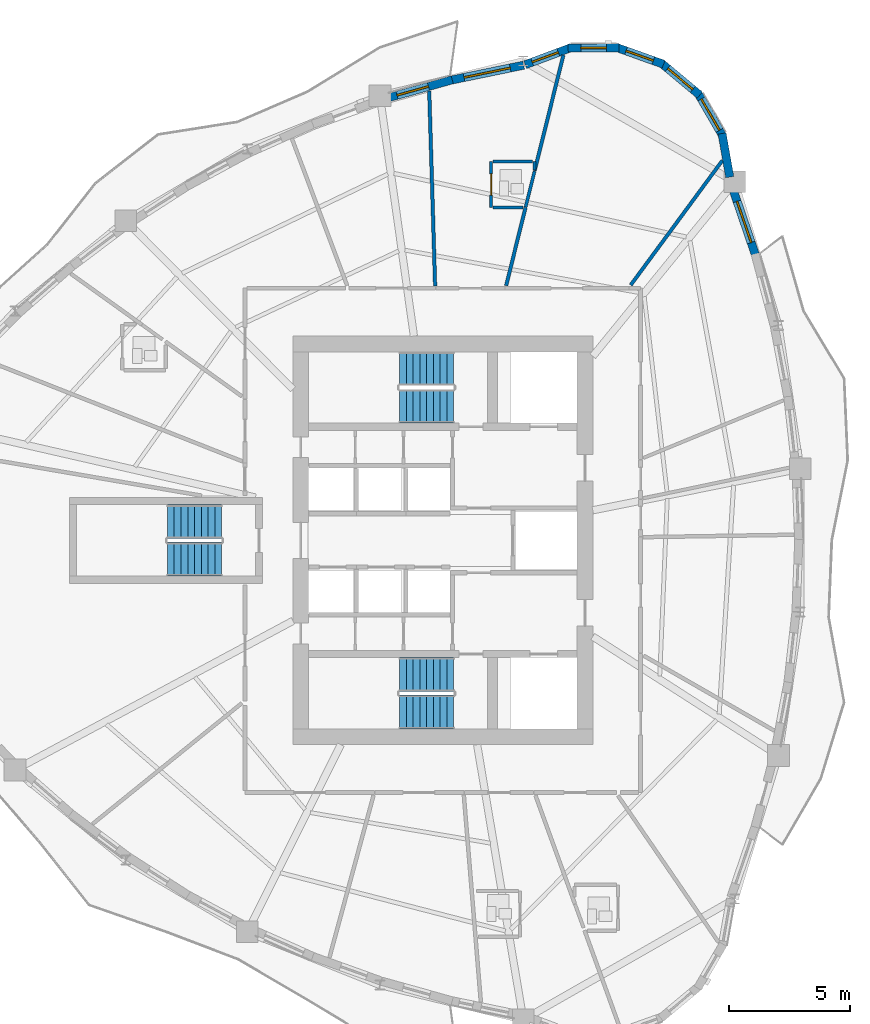
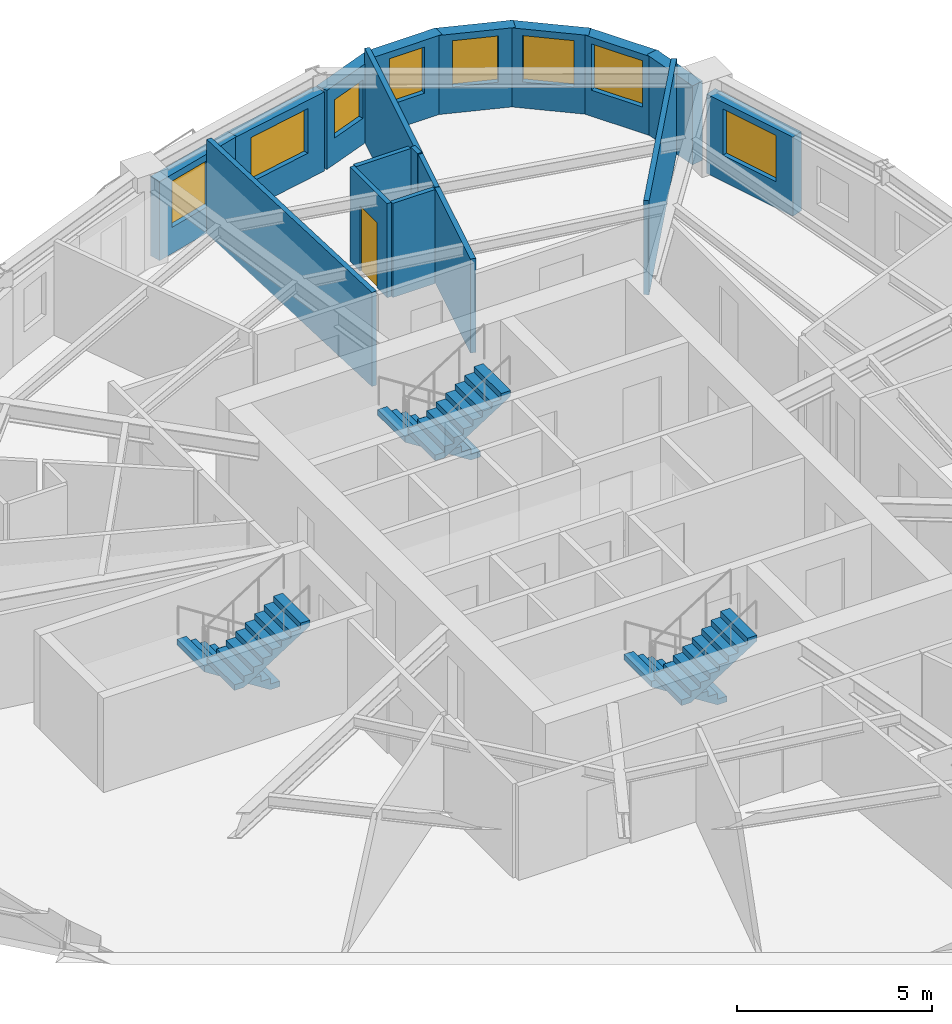
# One storey, part 8 of 12: 18 walls, 8 windows, 6 stair flights, 1 door, 9 openings, 3 elements without a shape of their own.
"""IFC4 building model written with IfcOpenShell, lengths in metres."""

from ifc_helpers import new_model, si_unit, direction, frame, frame_2d, origin, place, context, subcontext, project, spatial, polyline, rectangle, outline, extrude, source, transform, mapped, material, layer, layer_set, type_object, element, fill, aggregate, save


model = new_model("IFC4")

# Units and contexts
model_context = context("Model", 3, precision=1e-05, world=origin(), true_north=direction((0.0, 1.0)))
body_context = subcontext(model_context, "Body", "Model", "MODEL_VIEW")
ifc_project = project(units=[si_unit("LENGTHUNIT", "METRE"), si_unit("AREAUNIT", "SQUARE_METRE"), si_unit("VOLUMEUNIT", "CUBIC_METRE"), si_unit("PLANEANGLEUNIT", "RADIAN"), si_unit("MASSUNIT", "GRAM", prefix="KILO")], contexts=[model_context])

# Site, building, storey
site_placement = place(None, origin())
site = spatial("IfcSite", under=ifc_project, at=site_placement, CompositionType="ELEMENT")
building_placement = place(site_placement, origin())
building = spatial("IfcBuilding", under=site, at=building_placement, Name="Qafzar Sky-Pleat Residences", CompositionType="ELEMENT")
storey_placement = place(building_placement, frame((0.0, 0.0, 121.60009765625)))
storey = spatial("IfcBuildingStorey", under=building, at=storey_placement, Name="L36", CompositionType="ELEMENT", Elevation=121.60009765625)

# Walls
ifc_material_1 = material(Name="Acoustic gypsum plasterboard partition", Category="gypsum")
ifc_layer_1 = layer(ifc_material_1, 0.14501953125)
ifc_layer_set_1 = layer_set([ifc_layer_1], Name="Acoustic gypsum plasterboard partition")
wall_type_1 = type_object("IfcWallType", Name="PART-UNIT-145", PredefinedType="PARTITIONING", material=ifc_layer_set_1)
wall_1_placement = place(storey_placement, frame((29.7861328125, 44.578857421875, 0.0), z_axis=(0.0, 0.0, 1.0), x_axis=(0.030281792334, -0.99954140137, 0.0)))
element("IfcWall", 1, at=wall_1_placement, inside=storey, type_object=wall_type_1, Name="L36 Partition Wall PART-L36-PW-024", PredefinedType="PARTITIONING", context=body_context, shape_type="SweptSolid", body=[
    extrude(rectangle(XDim=8.062255859375, YDim=0.14501953125, at=frame_2d((4.03125, 0.0))), origin(), (0.0, 0.0, 1.0), 2.949951171875),
])
wall_2_placement = place(storey_placement, frame((38.119140625, 36.559326171875, 0.0), z_axis=(0.0, 0.0, 1.0), x_axis=(0.592704345809, 0.805420113021, 0.0)))
element("IfcWall", 2, at=wall_2_placement, inside=storey, type_object=wall_type_1, Name="L36 Partition Wall PART-L36-PW-029", PredefinedType="PARTITIONING", context=body_context, shape_type="SweptSolid", body=[
    extrude(rectangle(XDim=6.398681640625, YDim=0.14501953125, at=frame_2d((3.19921875, 0.0))), origin(), (0.0, 0.0, 1.0), 2.949951171875),
])
wall_3_placement = place(storey_placement, frame((34.14697265625, 41.285888671875, 0.0), z_axis=(0.0, 0.0, 1.0), x_axis=(0.241055314039, 0.970511378384, 0.0)))
element("IfcWall", 3, at=wall_3_placement, inside=storey, type_object=wall_type_1, Name="L36 Partition Wall PART-L36-PW-034", PredefinedType="PARTITIONING", context=body_context, shape_type="SweptSolid", body=[
    extrude(rectangle(XDim=4.92919921875, YDim=0.14501953125, at=frame_2d((2.464599609375, 0.0))), origin(), (0.0, 0.0, 1.0), 2.949951171875),
])
wall_4_placement = place(storey_placement, frame((32.967041015625, 36.53515625, 0.0), z_axis=(0.0, 0.0, 1.0), x_axis=(0.241120890255, 0.970495088232, 0.0)))
element("IfcWall", 4, at=wall_4_placement, inside=storey, type_object=wall_type_1, Name="L36 Partition Wall PART-L36-PW-041", PredefinedType="PARTITIONING", context=body_context, shape_type="SweptSolid", body=[
    extrude(rectangle(XDim=3.330078125, YDim=0.14501953125, at=frame_2d((1.6650390625, 0.0))), origin(), (0.0, 0.0, 1.0), 2.949951171875),
])

# Wall, opening, door
ifc_material_2 = material(Name="Moisture-resistant gypsum partition", Category="gypsum")
ifc_layer_2 = layer(ifc_material_2, 0.1298828125)
ifc_layer_set_2 = layer_set([ifc_layer_2], Name="Moisture-resistant gypsum partition")
wall_type_2 = type_object("IfcWallType", Name="PART-WET-130", PredefinedType="PARTITIONING", material=ifc_layer_set_2)
wall_5_placement = place(storey_placement, frame((32.346923828125, 41.6669921875, 0.0), z_axis=(0.0, 0.0, 1.0), x_axis=(0.0, -1.0, 0.0)))
wall_5 = element("IfcWall", 5, at=wall_5_placement, inside=storey, type_object=wall_type_2, Name="L36 Partition Wall PART-L36-PW-015", PredefinedType="PARTITIONING", context=body_context, shape_type="SweptSolid", body=[
    extrude(rectangle(XDim=1.89990234375, YDim=0.1298828125, at=frame_2d((0.949951171875, 0.0))), origin(), (0.0, 0.0, 1.0), 2.949951171875),
])
opening_1_placement = place(wall_5_placement, frame((0.510009765625, 0.0, 0.0)))
opening_1 = element("IfcOpeningElement", 6, at=opening_1_placement, cuts=wall_5, Name="Opening ID-07", PredefinedType="OPENING", context=body_context, shape_type="SweptSolid", body=[
    extrude(rectangle(XDim=0.8798828125, YDim=2.050048828125, at=frame_2d((0.43994140625, 1.02490234375))), frame((0.0, 0.074951171875, 0.0), z_axis=(0.0, -1.0, 0.0), x_axis=(1.0, 0.0, 0.0)), (0.0, 0.0, 1.0), 0.14990234375),
])
ifc_material_3 = material(Name="Timber-faced fire door", Category="wood")
door_type = type_object("IfcDoorType", Name="DR-WET-880", OperationType="NOTDEFINED", PredefinedType="DOOR", material=ifc_material_3)
shared_shape_1 = source(origin(), body_context, "Body", "SweptSolid", [
    extrude(rectangle(XDim=0.8798828125, YDim=2.050048828125, at=frame_2d((0.43994140625, 1.02490234375))), frame((0.0, 0.02490234375, 0.0), z_axis=(0.0, -1.0, 0.0), x_axis=(1.0, 0.0, 0.0)), (0.0, 0.0, 1.0), 0.050048828125),
])
door_placement = place(opening_1_placement, origin())
door = element("IfcDoor", 7, at=door_placement, inside=storey, type_object=door_type, Name="L36 En-suite Bathroom 1 Door", OperationType="SINGLE_SWING_LEFT", OverallHeight=2.050048828125, OverallWidth=0.8798828125, PredefinedType="DOOR", context=body_context, shape_type="MappedRepresentation", body=[
    mapped(shared_shape_1, transform((0.0, 0.0, 0.0), x_axis=(1.0, 0.0, 0.0), y_axis=(0.0, 1.0, 0.0), z_axis=(0.0, 0.0, 1.0), scale=1.0)),
])
fill(opening_1, door)

# Walls
wall_6_placement = place(storey_placement, frame((32.419921875, 41.6669921875, 0.0), z_axis=(0.0, 0.0, 1.0), x_axis=(1.0, 0.0, 0.0)))
element("IfcWall", 8, at=wall_6_placement, inside=storey, type_object=wall_type_2, Name="L36 Partition Wall PART-L36-PW-045", PredefinedType="PARTITIONING", context=body_context, shape_type="SweptSolid", body=[
    extrude(rectangle(XDim=1.628173828125, YDim=0.1298828125, at=frame_2d((0.81396484375, 0.0))), origin(), (0.0, 0.0, 1.0), 2.949951171875),
])
wall_7_placement = place(storey_placement, frame((33.773681640625, 39.781494140625, 0.0), z_axis=(0.0, 0.0, 1.0), x_axis=(0.240776504653, 0.970580586457, 0.0)))
element("IfcWall", 9, at=wall_7_placement, inside=storey, type_object=wall_type_2, Name="L36 Partition Wall PART-L36-PW-047", PredefinedType="PARTITIONING", context=body_context, shape_type="SweptSolid", body=[
    extrude(rectangle(XDim=1.53515625, YDim=0.1298828125, at=frame_2d((0.767578125, 0.0))), origin(), (0.0, 0.0, 1.0), 2.949951171875),
])
wall_8_placement = place(storey_placement, frame((32.419921875, 39.76708984375, 0.0), z_axis=(0.0, 0.0, 1.0), x_axis=(1.0, 0.0, 0.0)))
element("IfcWall", 10, at=wall_8_placement, inside=storey, type_object=wall_type_2, Name="L36 Partition Wall PART-L36-PW-048", PredefinedType="PARTITIONING", context=body_context, shape_type="SweptSolid", body=[
    extrude(rectangle(XDim=1.251220703125, YDim=0.1298828125, at=frame_2d((0.62548828125, 0.0))), origin(), (0.0, 0.0, 1.0), 2.949951171875),
])
wall_9_placement = place(storey_placement, frame((34.14697265625, 41.31689453125, 0.0), z_axis=(0.0, 0.0, 1.0), x_axis=(0.0, 1.0, 0.0)))
element("IfcWall", 11, at=wall_9_placement, inside=storey, type_object=wall_type_2, Name="L36 Partition Wall PART-L36-PW-057", PredefinedType="PARTITIONING", context=body_context, shape_type="SweptSolid", body=[
    extrude(rectangle(XDim=0.35009765625, YDim=0.1298828125, at=frame_2d((0.175048828125, 0.0))), origin(), (0.0, 0.0, 1.0), 2.949951171875),
])

# Wall, opening, window
ifc_material_4 = material(Name="Precast concrete C40/50 with honed Riyadh limestone", Category="concrete")
ifc_layer_3 = layer(ifc_material_4, 0.340087890625)
ifc_layer_set_3 = layer_set([ifc_layer_3], Name="Precast concrete C40/50 with honed Riyadh limestone")
wall_type_3 = type_object("IfcWallType", Name="WALL-EXT-340", PredefinedType="SOLIDWALL", material=ifc_layer_set_3)
wall_10_placement = place(storey_placement, frame((43.2880859375, 37.77099609375, 0.0), z_axis=(0.0, 0.0, 1.0), x_axis=(-0.323537149191, 0.94621546864, 0.0)))
wall_10 = element("IfcWall", 12, at=wall_10_placement, inside=storey, type_object=wall_type_3, Name="L36 Limestone Facade Wall 32", PredefinedType="SOLIDWALL", context=body_context, shape_type="SweptSolid", body=[
    extrude(rectangle(XDim=2.942138671875, YDim=0.340087890625, at=frame_2d((1.47119140625, 0.0))), origin(), (0.0, 0.0, 1.0), 2.47998046875),
])
opening_2_placement = place(wall_10_placement, frame((0.576171875, 0.0, 0.820068359375)))
opening_2 = element("IfcOpeningElement", 13, at=opening_2_placement, cuts=wall_10, Name="Opening WN-01", PredefinedType="OPENING", context=body_context, shape_type="SweptSolid", body=[
    extrude(rectangle(XDim=1.800048828125, YDim=1.449951171875, at=frame_2d((0.89990234375, 0.72509765625))), frame((0.0, 0.18017578125, 0.0), z_axis=(0.0, -1.0, 0.0), x_axis=(1.0, 0.0, 0.0)), (0.0, 0.0, 1.0), 0.360107421875),
])
ifc_material_5 = material(Name="Solar-control low-E glass in bronze aluminium frame", Category="glass")
window_type_1 = type_object("IfcWindowType", Name="WIN-01", PartitioningType="DOUBLE_PANEL_VERTICAL", PredefinedType="WINDOW", material=ifc_material_5)
shared_shape_2 = source(origin(), body_context, "Body", "SweptSolid", [
    extrude(rectangle(XDim=1.800048828125, YDim=1.449951171875, at=frame_2d((0.89990234375, 0.72509765625))), frame((0.0, 0.030029296875, 0.0), z_axis=(0.0, -1.0, 0.0), x_axis=(1.0, 0.0, 0.0)), (0.0, 0.0, 1.0), 0.06005859375),
])
window_1_placement = place(opening_2_placement, origin())
window_1 = element("IfcWindow", 14, at=window_1_placement, inside=storey, type_object=window_type_1, Name="L36 Punched Facade Window 32", OverallHeight=1.449951171875, OverallWidth=1.800048828125, PartitioningType="SINGLE_PANEL", PredefinedType="WINDOW", context=body_context, shape_type="MappedRepresentation", body=[
    mapped(shared_shape_2, transform((0.0, 0.0, 0.0), x_axis=(1.0, 0.0, 0.0), y_axis=(0.0, 1.0, 0.0), z_axis=(0.0, 0.0, 1.0), scale=1.0)),
])
fill(opening_2, window_1)

# Wall
wall_11_placement = place(storey_placement, frame((42.215087890625, 41.0244140625, 0.0), z_axis=(0.0, 0.0, 1.0), x_axis=(-0.17440141227, 0.984674640375, 0.0)))
element("IfcWall", 15, at=wall_11_placement, inside=storey, type_object=wall_type_3, Name="L36 Limestone Facade Wall 33", PredefinedType="SOLIDWALL", context=body_context, shape_type="SweptSolid", body=[
    extrude(rectangle(XDim=1.8310546875, YDim=0.340087890625, at=frame_2d((0.91552734375, 0.0))), origin(), (0.0, 0.0, 1.0), 2.47998046875),
])

# Wall, opening, window
wall_12_placement = place(storey_placement, frame((41.941650390625, 42.701416015625, 0.0), z_axis=(0.0, 0.0, 1.0), x_axis=(-0.501902596059, 0.864924149315, 0.0)))
wall_12 = element("IfcWall", 16, at=wall_12_placement, inside=storey, type_object=wall_type_3, Name="L36 Limestone Facade Wall 34", PredefinedType="SOLIDWALL", context=body_context, shape_type="SweptSolid", body=[
    extrude(rectangle(XDim=2.098876953125, YDim=0.340087890625, at=frame_2d((1.04931640625, 0.0))), origin(), (0.0, 0.0, 1.0), 2.47998046875),
])
opening_3_placement = place(wall_12_placement, frame((0.299560546875, 0.0, 0.820068359375)))
opening_3 = element("IfcOpeningElement", 17, at=opening_3_placement, cuts=wall_12, Name="Opening WN-03", PredefinedType="OPENING", context=body_context, shape_type="SweptSolid", body=[
    extrude(rectangle(XDim=1.5, YDim=1.449951171875, at=frame_2d((0.75, 0.72509765625))), frame((0.0, 0.18017578125, 0.0), z_axis=(0.0, -1.0, 0.0), x_axis=(1.0, 0.0, 0.0)), (0.0, 0.0, 1.0), 0.360107421875),
])
window_type_2 = type_object("IfcWindowType", Name="WIN-03", PartitioningType="DOUBLE_PANEL_VERTICAL", PredefinedType="WINDOW", material=ifc_material_5)
shared_shape_3 = source(origin(), body_context, "Body", "SweptSolid", [
    extrude(rectangle(XDim=1.5, YDim=1.449951171875, at=frame_2d((0.75, 0.72509765625))), frame((0.0, 0.030029296875, 0.0), z_axis=(0.0, -1.0, 0.0), x_axis=(1.0, 0.0, 0.0)), (0.0, 0.0, 1.0), 0.06005859375),
])
window_2_placement = place(opening_3_placement, origin())
window_2 = element("IfcWindow", 18, at=window_2_placement, inside=storey, type_object=window_type_2, Name="L36 Punched Facade Window 34", OverallHeight=1.449951171875, OverallWidth=1.5, PartitioningType="SINGLE_PANEL", PredefinedType="WINDOW", context=body_context, shape_type="MappedRepresentation", body=[
    mapped(shared_shape_3, transform((0.0, 0.0, 0.0), x_axis=(1.0, 0.0, 0.0), y_axis=(0.0, 1.0, 0.0), z_axis=(0.0, 0.0, 1.0), scale=1.0)),
])
fill(opening_3, window_2)

wall_13_placement = place(storey_placement, frame((40.974609375, 44.414306640625, 0.0), z_axis=(0.0, 0.0, 1.0), x_axis=(-0.768440501876, 0.639921241308, 0.0)))
wall_13 = element("IfcWall", 19, at=wall_13_placement, inside=storey, type_object=wall_type_3, Name="L36 Limestone Facade Wall 35", PredefinedType="SOLIDWALL", context=body_context, shape_type="SweptSolid", body=[
    extrude(rectangle(XDim=2.09912109375, YDim=0.340087890625, at=frame_2d((1.049560546875, 0.0))), origin(), (0.0, 0.0, 1.0), 2.47998046875),
])
opening_4_placement = place(wall_13_placement, frame((0.37451171875, 0.0, 0.820068359375)))
opening_4 = element("IfcOpeningElement", 20, at=opening_4_placement, cuts=wall_13, Name="Opening WN-04", PredefinedType="OPENING", context=body_context, shape_type="SweptSolid", body=[
    extrude(rectangle(XDim=1.35009765625, YDim=1.449951171875, at=frame_2d((0.675048828125, 0.72509765625))), frame((0.0, 0.18017578125, 0.0), z_axis=(0.0, -1.0, 0.0), x_axis=(1.0, 0.0, 0.0)), (0.0, 0.0, 1.0), 0.360107421875),
])
window_type_3 = type_object("IfcWindowType", Name="WIN-04", PartitioningType="SINGLE_PANEL", PredefinedType="WINDOW", material=ifc_material_5)
shared_shape_4 = source(origin(), body_context, "Body", "SweptSolid", [
    extrude(rectangle(XDim=1.35009765625, YDim=1.449951171875, at=frame_2d((0.675048828125, 0.72509765625))), frame((0.0, 0.030029296875, 0.0), z_axis=(0.0, -1.0, 0.0), x_axis=(1.0, 0.0, 0.0)), (0.0, 0.0, 1.0), 0.06005859375),
])
window_3_placement = place(opening_4_placement, origin())
window_3 = element("IfcWindow", 21, at=window_3_placement, inside=storey, type_object=window_type_3, Name="L36 Punched Facade Window 35", OverallHeight=1.449951171875, OverallWidth=1.35009765625, PartitioningType="SINGLE_PANEL", PredefinedType="WINDOW", context=body_context, shape_type="MappedRepresentation", body=[
    mapped(shared_shape_4, transform((0.0, 0.0, 0.0), x_axis=(1.0, 0.0, 0.0), y_axis=(0.0, 1.0, 0.0), z_axis=(0.0, 0.0, 1.0), scale=1.0)),
])
fill(opening_4, window_3)

wall_14_placement = place(storey_placement, frame((39.47802734375, 45.69091796875, 0.0), z_axis=(0.0, 0.0, 1.0), x_axis=(-0.941523304278, 0.336947870598, 0.0)))
wall_14 = element("IfcWall", 22, at=wall_14_placement, inside=storey, type_object=wall_type_3, Name="L36 Limestone Facade Wall 36", PredefinedType="SOLIDWALL", context=body_context, shape_type="SweptSolid", body=[
    extrude(rectangle(XDim=2.09912109375, YDim=0.340087890625, at=frame_2d((1.049560546875, 0.0))), origin(), (0.0, 0.0, 1.0), 2.47998046875),
])
opening_5_placement = place(wall_14_placement, frame((0.449462890625, 0.0, 0.820068359375)))
opening_5 = element("IfcOpeningElement", 23, at=opening_5_placement, cuts=wall_14, Name="Opening WN-05", PredefinedType="OPENING", context=body_context, shape_type="SweptSolid", body=[
    extrude(rectangle(XDim=1.199951171875, YDim=1.449951171875, at=frame_2d((0.60009765625, 0.72509765625))), frame((0.0, 0.18017578125, 0.0), z_axis=(0.0, -1.0, 0.0), x_axis=(1.0, 0.0, 0.0)), (0.0, 0.0, 1.0), 0.360107421875),
])
window_type_4 = type_object("IfcWindowType", Name="WIN-05", PartitioningType="SINGLE_PANEL", PredefinedType="WINDOW", material=ifc_material_5)
shared_shape_5 = source(origin(), body_context, "Body", "SweptSolid", [
    extrude(rectangle(XDim=1.199951171875, YDim=1.449951171875, at=frame_2d((0.60009765625, 0.72509765625))), frame((0.0, 0.030029296875, 0.0), z_axis=(0.0, -1.0, 0.0), x_axis=(1.0, 0.0, 0.0)), (0.0, 0.0, 1.0), 0.06005859375),
])
window_4_placement = place(opening_5_placement, origin())
window_4 = element("IfcWindow", 24, at=window_4_placement, inside=storey, type_object=window_type_4, Name="L36 Punched Facade Window 36", OverallHeight=1.449951171875, OverallWidth=1.199951171875, PartitioningType="SINGLE_PANEL", PredefinedType="WINDOW", context=body_context, shape_type="MappedRepresentation", body=[
    mapped(shared_shape_5, transform((0.0, 0.0, 0.0), x_axis=(1.0, 0.0, 0.0), y_axis=(0.0, 1.0, 0.0), z_axis=(0.0, 0.0, 1.0), scale=1.0)),
])
fill(opening_5, window_4)

wall_15_placement = place(storey_placement, frame((37.634033203125, 46.375732421875, 0.0), z_axis=(0.0, 0.0, 1.0), x_axis=(-0.999976456891, -0.00686189939, 0.0)))
wall_15 = element("IfcWall", 25, at=wall_15_placement, inside=storey, type_object=wall_type_3, Name="L36 Limestone Facade Wall 37", PredefinedType="SOLIDWALL", context=body_context, shape_type="SweptSolid", body=[
    extrude(rectangle(XDim=2.09912109375, YDim=0.340087890625, at=frame_2d((1.049560546875, 0.0))), origin(), (0.0, 0.0, 1.0), 2.47998046875),
])
opening_6_placement = place(wall_15_placement, frame((0.5244140625, 0.0, 0.820068359375)))
opening_6 = element("IfcOpeningElement", 26, at=opening_6_placement, cuts=wall_15, Name="Opening WN-06", PredefinedType="OPENING", context=body_context, shape_type="SweptSolid", body=[
    extrude(rectangle(XDim=1.050048828125, YDim=1.449951171875, at=frame_2d((0.52490234375, 0.72509765625))), frame((0.0, 0.18017578125, 0.0), z_axis=(0.0, -1.0, 0.0), x_axis=(1.0, 0.0, 0.0)), (0.0, 0.0, 1.0), 0.360107421875),
])
window_type_5 = type_object("IfcWindowType", Name="WIN-06", PartitioningType="SINGLE_PANEL", PredefinedType="WINDOW", material=ifc_material_5)
shared_shape_6 = source(origin(), body_context, "Body", "SweptSolid", [
    extrude(rectangle(XDim=1.050048828125, YDim=1.449951171875, at=frame_2d((0.52490234375, 0.72509765625))), frame((0.0, 0.030029296875, 0.0), z_axis=(0.0, -1.0, 0.0), x_axis=(1.0, 0.0, 0.0)), (0.0, 0.0, 1.0), 0.06005859375),
])
window_5_placement = place(opening_6_placement, origin())
window_5 = element("IfcWindow", 27, at=window_5_placement, inside=storey, type_object=window_type_5, Name="L36 Punched Facade Window 37", OverallHeight=1.449951171875, OverallWidth=1.050048828125, PartitioningType="SINGLE_PANEL", PredefinedType="WINDOW", context=body_context, shape_type="MappedRepresentation", body=[
    mapped(shared_shape_6, transform((0.0, 0.0, 0.0), x_axis=(1.0, 0.0, 0.0), y_axis=(0.0, 1.0, 0.0), z_axis=(0.0, 0.0, 1.0), scale=1.0)),
])
fill(opening_6, window_5)

wall_16_placement = place(storey_placement, frame((35.6669921875, 46.3857421875, 0.0), z_axis=(0.0, 0.0, 1.0), x_axis=(-0.936761017964, -0.34996970615, 0.0)))
wall_16 = element("IfcWall", 28, at=wall_16_placement, inside=storey, type_object=wall_type_3, Name="L36 Limestone Facade Wall 38", PredefinedType="SOLIDWALL", context=body_context, shape_type="SweptSolid", body=[
    extrude(rectangle(XDim=2.041259765625, YDim=0.340087890625, at=frame_2d((1.0205078125, 0.0))), origin(), (0.0, 0.0, 1.0), 2.47998046875),
])
opening_7_placement = place(wall_16_placement, frame((0.579345703125, 0.0, 0.820068359375)))
opening_7 = element("IfcOpeningElement", 29, at=opening_7_placement, cuts=wall_16, Name="Opening WN-16", PredefinedType="OPENING", context=body_context, shape_type="SweptSolid", body=[
    extrude(rectangle(XDim=1.14990234375, YDim=1.199951171875, at=frame_2d((0.574951171875, 0.60009765625))), frame((0.0, 0.18017578125, 0.0), z_axis=(0.0, -1.0, 0.0), x_axis=(1.0, 0.0, 0.0)), (0.0, 0.0, 1.0), 0.360107421875),
])
window_type_6 = type_object("IfcWindowType", Name="WIN-16", PartitioningType="SINGLE_PANEL", PredefinedType="WINDOW", material=ifc_material_5)
shared_shape_7 = source(origin(), body_context, "Body", "SweptSolid", [
    extrude(rectangle(XDim=1.14990234375, YDim=1.199951171875, at=frame_2d((0.574951171875, 0.60009765625))), frame((0.0, 0.030029296875, 0.0), z_axis=(0.0, -1.0, 0.0), x_axis=(1.0, 0.0, 0.0)), (0.0, 0.0, 1.0), 0.06005859375),
])
window_6_placement = place(opening_7_placement, origin())
window_6 = element("IfcWindow", 30, at=window_6_placement, inside=storey, type_object=window_type_6, Name="L36 Punched Facade Window 38", OverallHeight=1.199951171875, OverallWidth=1.14990234375, PartitioningType="SINGLE_PANEL", PredefinedType="WINDOW", context=body_context, shape_type="MappedRepresentation", body=[
    mapped(shared_shape_7, transform((0.0, 0.0, 0.0), x_axis=(1.0, 0.0, 0.0), y_axis=(0.0, 1.0, 0.0), z_axis=(0.0, 0.0, 1.0), scale=1.0)),
])
fill(opening_7, window_6)

wall_17_placement = place(storey_placement, frame((33.69140625, 45.6533203125, 0.0), z_axis=(0.0, 0.0, 1.0), x_axis=(-0.979414063846, -0.201861565287, 0.0)))
wall_17 = element("IfcWall", 31, at=wall_17_placement, inside=storey, type_object=wall_type_3, Name="L36 Limestone Facade Wall 39", PredefinedType="SOLIDWALL", context=body_context, shape_type="SweptSolid", body=[
    extrude(rectangle(XDim=3.103515625, YDim=0.340087890625, at=frame_2d((1.5517578125, 0.0))), origin(), (0.0, 0.0, 1.0), 2.47998046875),
])
opening_8_placement = place(wall_17_placement, frame((0.566650390625, 0.0, 0.820068359375)))
opening_8 = element("IfcOpeningElement", 32, at=opening_8_placement, cuts=wall_17, Name="Opening WN-08", PredefinedType="OPENING", context=body_context, shape_type="SweptSolid", body=[
    extrude(rectangle(XDim=1.949951171875, YDim=1.39990234375, at=frame_2d((0.97509765625, 0.699951171875))), frame((0.0, 0.18017578125, 0.0), z_axis=(0.0, -1.0, 0.0), x_axis=(1.0, 0.0, 0.0)), (0.0, 0.0, 1.0), 0.360107421875),
])
window_type_7 = type_object("IfcWindowType", Name="WIN-08", PartitioningType="DOUBLE_PANEL_VERTICAL", PredefinedType="WINDOW", material=ifc_material_5)
shared_shape_8 = source(origin(), body_context, "Body", "SweptSolid", [
    extrude(rectangle(XDim=1.949951171875, YDim=1.39990234375, at=frame_2d((0.97509765625, 0.699951171875))), frame((0.0, 0.030029296875, 0.0), z_axis=(0.0, -1.0, 0.0), x_axis=(1.0, 0.0, 0.0)), (0.0, 0.0, 1.0), 0.06005859375),
])
window_7_placement = place(opening_8_placement, origin())
window_7 = element("IfcWindow", 33, at=window_7_placement, inside=storey, type_object=window_type_7, Name="L36 Punched Facade Window 39", OverallHeight=1.39990234375, OverallWidth=1.949951171875, PartitioningType="SINGLE_PANEL", PredefinedType="WINDOW", context=body_context, shape_type="MappedRepresentation", body=[
    mapped(shared_shape_8, transform((0.0, 0.0, 0.0), x_axis=(1.0, 0.0, 0.0), y_axis=(0.0, 1.0, 0.0), z_axis=(0.0, 0.0, 1.0), scale=1.0)),
])
fill(opening_8, window_7)

wall_18_placement = place(storey_placement, frame((30.7373046875, 45.047607421875, 0.0), z_axis=(0.0, 0.0, 1.0), x_axis=(-0.963026728711, -0.26940586443, 0.0)))
wall_18 = element("IfcWall", 34, at=wall_18_placement, inside=storey, type_object=wall_type_3, Name="L36 Limestone Facade Wall 40", PredefinedType="SOLIDWALL", context=body_context, shape_type="SweptSolid", body=[
    extrude(rectangle(XDim=2.8291015625, YDim=0.340087890625, at=frame_2d((1.41455078125, 0.0))), origin(), (0.0, 0.0, 1.0), 2.47998046875),
])
opening_9_placement = place(wall_18_placement, frame((1.021484375, 0.0, 0.820068359375)))
opening_9 = element("IfcOpeningElement", 35, at=opening_9_placement, cuts=wall_18, Name="Opening WN-04", PredefinedType="OPENING", context=body_context, shape_type="SweptSolid", body=[
    extrude(rectangle(XDim=1.35009765625, YDim=1.449951171875, at=frame_2d((0.675048828125, 0.72509765625))), frame((0.0, 0.18017578125, 0.0), z_axis=(0.0, -1.0, 0.0), x_axis=(1.0, 0.0, 0.0)), (0.0, 0.0, 1.0), 0.360107421875),
])
window_8_placement = place(opening_9_placement, origin())
window_8 = element("IfcWindow", 36, at=window_8_placement, inside=storey, type_object=window_type_3, Name="L36 Punched Facade Window 40-2", OverallHeight=1.449951171875, OverallWidth=1.35009765625, PartitioningType="SINGLE_PANEL", PredefinedType="WINDOW", context=body_context, shape_type="MappedRepresentation", body=[
    mapped(shared_shape_4, transform((0.0, 0.0, 0.0), x_axis=(1.0, 0.0, 0.0), y_axis=(0.0, 1.0, 0.0), z_axis=(0.0, 0.0, 1.0), scale=1.0)),
])
fill(opening_9, window_8)

# Stair, stair flights
ifc_material_6 = material(Name="Concrete C40/50", Category="concrete")
stair_type = type_object("IfcStairType", Name="STAIR-H320", PredefinedType="HALF_TURN_STAIR", material=ifc_material_6)
stair_1_placement = place(storey_placement, origin())
stair_1 = element("IfcStair", 37, at=stair_1_placement, inside=storey, type_object=stair_type, Name="L36 Protected Exit Stair ST1", PredefinedType="HALF_TURN_STAIR")
stair_flight_type = type_object("IfcStairFlightType", Name="FLIGHT-H320", PredefinedType="STRAIGHT", material=ifc_material_6)
shared_shape_9 = source(origin(), body_context, "Body", "SweptSolid", [
    extrude(outline(polyline([(0.0, 0.0), (0.0, 0.177734375), (0.280029296875, 0.177734375), (0.280029296875, 0.35546875), (0.56005859375, 0.35546875), (0.56005859375, 0.533447265625), (0.840087890625, 0.533447265625), (0.840087890625, 0.711181640625), (1.1201171875, 0.711181640625), (1.1201171875, 0.888916015625), (1.39990234375, 0.888916015625), (1.39990234375, 1.066650390625), (1.679931640625, 1.066650390625), (1.679931640625, 1.244384765625), (1.9599609375, 1.244384765625), (1.9599609375, 1.422119140625), (2.239990234375, 1.422119140625), (2.239990234375, 1.60009765625), (2.239990234375, 1.24462890625), (0.27978515625, 0.0), (0.0, 0.0)])), frame((0.0, 0.699951171875, 0.0), z_axis=(0.0, -1.0, 0.0), x_axis=(1.0, 0.0, 0.0)), (0.0, 0.0, 1.0), 1.39990234375),
])
stair_flight_1_placement = place(storey_placement, frame((30.800048828125, 20.449951171875, 0.0), z_axis=(0.0, 0.0, 1.0), x_axis=(-1.0, 0.0, 0.0)))
stair_flight_1 = element("IfcStairFlight", 38, at=stair_flight_1_placement, type_object=stair_flight_type, Name="ST1 flight 1", NumberOfRisers=9, NumberOfTreads=8, PredefinedType="STRAIGHT", RiserHeight=0.177777778, TreadLength=0.28, context=body_context, shape_type="MappedRepresentation", body=[
    mapped(shared_shape_9, transform((0.0, 0.0, 0.0), x_axis=(1.0, 0.0, 0.0), y_axis=(0.0, 1.0, 0.0), z_axis=(0.0, 0.0, 1.0), scale=1.0)),
])
stair_flight_2_placement = place(storey_placement, frame((28.56005859375, 18.89990234375, 1.599853515625), z_axis=(0.0, 0.0, 1.0), x_axis=(1.0, 0.0, 0.0)))
stair_flight_2 = element("IfcStairFlight", 39, at=stair_flight_2_placement, type_object=stair_flight_type, Name="ST1 flight 2", NumberOfRisers=9, NumberOfTreads=8, PredefinedType="STRAIGHT", RiserHeight=0.177777778, TreadLength=0.28, context=body_context, shape_type="MappedRepresentation", body=[
    mapped(shared_shape_9, transform((0.0, 0.0, 0.0), x_axis=(1.0, 0.0, 0.0), y_axis=(0.0, 1.0, 0.0), z_axis=(0.0, 0.0, 1.0), scale=1.0)),
])
aggregate(stair_1, [stair_flight_1, stair_flight_2])

stair_2_placement = place(storey_placement, origin())
stair_2 = element("IfcStair", 40, at=stair_2_placement, inside=storey, type_object=stair_type, Name="L36 Protected Exit Stair ST2", PredefinedType="HALF_TURN_STAIR")
stair_flight_3_placement = place(storey_placement, frame((30.800048828125, 33.10009765625, 0.0), z_axis=(0.0, 0.0, 1.0), x_axis=(-1.0, 0.0, 0.0)))
stair_flight_3 = element("IfcStairFlight", 41, at=stair_flight_3_placement, type_object=stair_flight_type, Name="ST2 flight 1", NumberOfRisers=9, NumberOfTreads=8, PredefinedType="STRAIGHT", RiserHeight=0.177777778, TreadLength=0.28, context=body_context, shape_type="MappedRepresentation", body=[
    mapped(shared_shape_9, transform((0.0, 0.0, 0.0), x_axis=(1.0, 0.0, 0.0), y_axis=(0.0, 1.0, 0.0), z_axis=(0.0, 0.0, 1.0), scale=1.0)),
])
stair_flight_4_placement = place(storey_placement, frame((28.56005859375, 31.550048828125, 1.599853515625), z_axis=(0.0, 0.0, 1.0), x_axis=(1.0, 0.0, 0.0)))
stair_flight_4 = element("IfcStairFlight", 42, at=stair_flight_4_placement, type_object=stair_flight_type, Name="ST2 flight 2", NumberOfRisers=9, NumberOfTreads=8, PredefinedType="STRAIGHT", RiserHeight=0.177777778, TreadLength=0.28, context=body_context, shape_type="MappedRepresentation", body=[
    mapped(shared_shape_9, transform((0.0, 0.0, 0.0), x_axis=(1.0, 0.0, 0.0), y_axis=(0.0, 1.0, 0.0), z_axis=(0.0, 0.0, 1.0), scale=1.0)),
])
aggregate(stair_2, [stair_flight_3, stair_flight_4])

stair_3_placement = place(storey_placement, origin())
stair_3 = element("IfcStair", 43, at=stair_3_placement, inside=storey, type_object=stair_type, Name="L36 Protected Exit Stair ST3", PredefinedType="HALF_TURN_STAIR")
stair_flight_5_placement = place(storey_placement, frame((21.199951171875, 26.77490234375, 0.0), z_axis=(0.0, 0.0, 1.0), x_axis=(-1.0, 0.0, 0.0)))
stair_flight_5 = element("IfcStairFlight", 44, at=stair_flight_5_placement, type_object=stair_flight_type, Name="ST3 flight 1", NumberOfRisers=9, NumberOfTreads=8, PredefinedType="STRAIGHT", RiserHeight=0.177777778, TreadLength=0.28, context=body_context, shape_type="MappedRepresentation", body=[
    mapped(shared_shape_9, transform((0.0, 0.0, 0.0), x_axis=(1.0, 0.0, 0.0), y_axis=(0.0, 1.0, 0.0), z_axis=(0.0, 0.0, 1.0), scale=1.0)),
])
stair_flight_6_placement = place(storey_placement, frame((18.9599609375, 25.22509765625, 1.599853515625), z_axis=(0.0, 0.0, 1.0), x_axis=(1.0, 0.0, 0.0)))
stair_flight_6 = element("IfcStairFlight", 45, at=stair_flight_6_placement, type_object=stair_flight_type, Name="ST3 flight 2", NumberOfRisers=9, NumberOfTreads=8, PredefinedType="STRAIGHT", RiserHeight=0.177777778, TreadLength=0.28, context=body_context, shape_type="MappedRepresentation", body=[
    mapped(shared_shape_9, transform((0.0, 0.0, 0.0), x_axis=(1.0, 0.0, 0.0), y_axis=(0.0, 1.0, 0.0), z_axis=(0.0, 0.0, 1.0), scale=1.0)),
])
aggregate(stair_3, [stair_flight_5, stair_flight_6])

save(model, "model.ifc")
